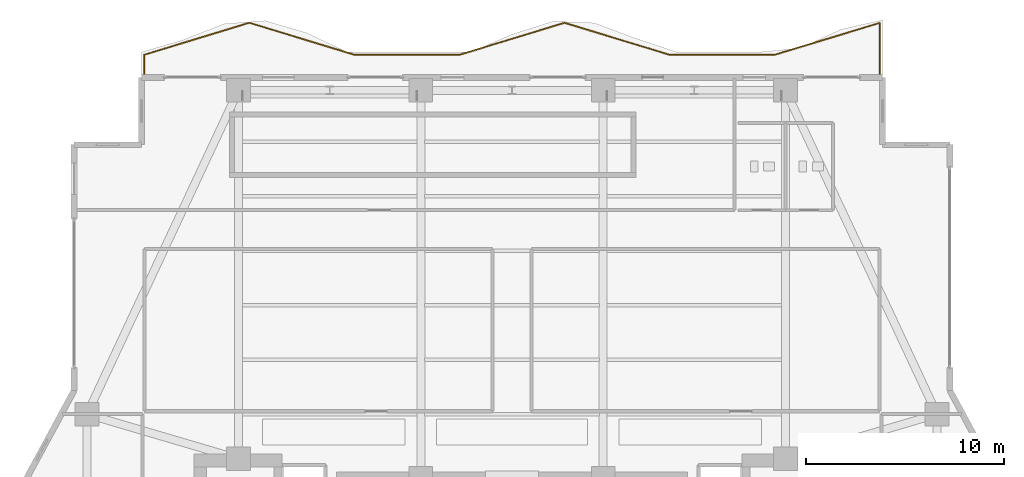
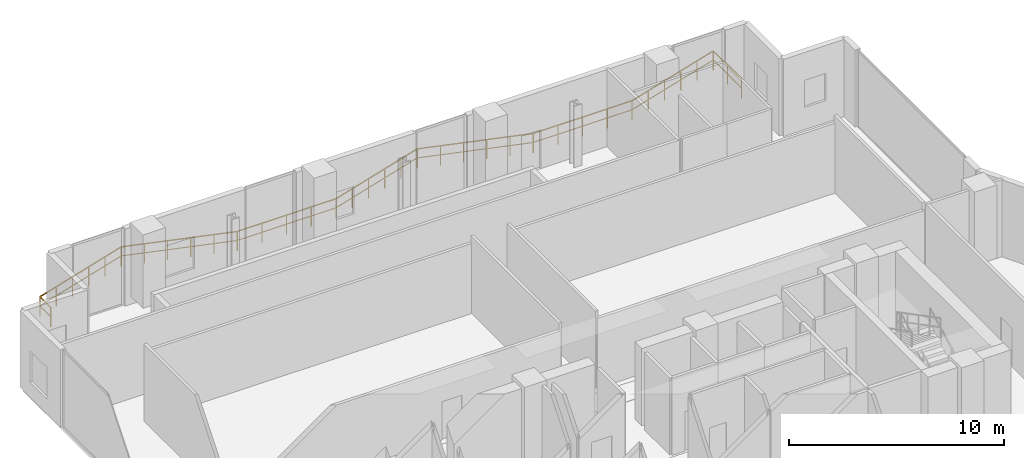
# One storey, part 32 of 33: 1 railing.
"""IFC4 building model written with IfcOpenShell, lengths in metres."""

from ifc_helpers import new_model, si_unit, direction, frame, origin, origin_2d, place, context, subcontext, project, spatial, rectangle, extrude, material, type_object, element, save


model = new_model("IFC4")

# Units and contexts
model_context = context("Model", 3, precision=1e-05, world=origin(), true_north=direction((0.0, 1.0)))
body_context = subcontext(model_context, "Body", "Model", "MODEL_VIEW")
ifc_project = project(units=[si_unit("LENGTHUNIT", "METRE"), si_unit("AREAUNIT", "SQUARE_METRE"), si_unit("VOLUMEUNIT", "CUBIC_METRE"), si_unit("PLANEANGLEUNIT", "RADIAN"), si_unit("MASSUNIT", "GRAM", prefix="KILO")], contexts=[model_context])

# Site, building, storey
site_placement = place(None, origin())
site = spatial("IfcSite", under=ifc_project, at=site_placement, CompositionType="ELEMENT")
building_placement = place(site_placement, origin())
building = spatial("IfcBuilding", under=site, at=building_placement, Name="Zuhayl Quay Hotel", CompositionType="ELEMENT")
storey_placement = place(building_placement, frame((0.0, 0.0, 168.199951171875)))
storey = spatial("IfcBuildingStorey", under=building, at=storey_placement, Name="L42", CompositionType="ELEMENT", Elevation=168.199951171875)

# Railing
ifc_material = material(Name="Anodised Aluminium and Laminated Glass", Category="aluminium")
railing_type = type_object("IfcRailingType", Name="RL_EXT_BAL_1100", PredefinedType="BALUSTRADE", material=ifc_material)
railing_placement = place(storey_placement, frame((-18.56005859375, 33.719970703125, 0.0)))
element("IfcRailing", 1, at=railing_placement, inside=storey, type_object=railing_type, Name="L42 Balcony and Terrace Guard GR_L42_BAL_N", PredefinedType="BALUSTRADE", context=body_context, shape_type="SweptSolid", body=[
    extrude(rectangle(XDim=0.048095703125, YDim=0.048095703125, at=origin_2d()), frame((0.0, 0.0, 1.09619140625), z_axis=(0.0, 1.0, 0.0), x_axis=(-1.0, 0.0, 0.0)), (0.0, 0.0, 1.0), 1.02001953125),
    extrude(rectangle(XDim=0.0361328125, YDim=0.0361328125, at=origin_2d()), frame((0.0, 0.0, 0.58251953125), z_axis=(0.0, 1.0, 0.0), x_axis=(-1.0, 0.0, 0.0)), (0.0, 0.0, 1.0), 1.02001953125),
    extrude(rectangle(XDim=0.048095703125, YDim=0.048095703125, at=origin_2d()), frame((0.0, 1.02001953125, 1.09619140625), z_axis=(0.956486495439, 0.291776599548, 0.0), x_axis=(-0.291776599548, 0.956486495439, 0.0)), (0.0, 0.0, 1.0), 5.544189453125),
    extrude(rectangle(XDim=0.0361328125, YDim=0.0361328125, at=origin_2d()), frame((0.0, 1.02001953125, 0.58251953125), z_axis=(0.956486495439, 0.291776599548, 0.0), x_axis=(-0.291776599548, 0.956486495439, 0.0)), (0.0, 0.0, 1.0), 5.544189453125),
    extrude(rectangle(XDim=0.048095703125, YDim=0.048095703125, at=origin_2d()), frame((5.302978515625, 2.6376953125, 1.09619140625), z_axis=(0.956482746335, -0.291788889375, 0.0), x_axis=(0.291788889375, 0.956482746335, 0.0)), (0.0, 0.0, 1.0), 5.5439453125),
    extrude(rectangle(XDim=0.0361328125, YDim=0.0361328125, at=origin_2d()), frame((5.302978515625, 2.6376953125, 0.58251953125), z_axis=(0.956482746335, -0.291788889375, 0.0), x_axis=(0.291788889375, 0.956482746335, 0.0)), (0.0, 0.0, 1.0), 5.5439453125),
    extrude(rectangle(XDim=0.048095703125, YDim=0.048095703125, at=origin_2d()), frame((10.605712890625, 1.02001953125, 1.09619140625), z_axis=(1.0, 0.0, 0.0), x_axis=(0.0, 1.0, 0.0)), (0.0, 0.0, 1.0), 5.302978515625),
    extrude(rectangle(XDim=0.0361328125, YDim=0.0361328125, at=origin_2d()), frame((10.605712890625, 1.02001953125, 0.58251953125), z_axis=(1.0, 0.0, 0.0), x_axis=(0.0, 1.0, 0.0)), (0.0, 0.0, 1.0), 5.302978515625),
    extrude(rectangle(XDim=0.048095703125, YDim=0.048095703125, at=origin_2d()), frame((15.90869140625, 1.02001953125, 1.09619140625), z_axis=(0.956666945668, 0.291184400452, 0.0), x_axis=(-0.291184400452, 0.956666945668, 0.0)), (0.0, 0.0, 1.0), 5.54296875),
    extrude(rectangle(XDim=0.0361328125, YDim=0.0361328125, at=origin_2d()), frame((15.90869140625, 1.02001953125, 0.58251953125), z_axis=(0.956666945668, 0.291184400452, 0.0), x_axis=(-0.291184400452, 0.956666945668, 0.0)), (0.0, 0.0, 1.0), 5.54296875),
    extrude(rectangle(XDim=0.048095703125, YDim=0.048095703125, at=origin_2d()), frame((21.21142578125, 2.634033203125, 1.09619140625), z_axis=(0.956670679972, -0.291172131361, 0.0), x_axis=(0.291172131361, 0.956670679972, 0.0)), (0.0, 0.0, 1.0), 5.543212890625),
    extrude(rectangle(XDim=0.0361328125, YDim=0.0361328125, at=origin_2d()), frame((21.21142578125, 2.634033203125, 0.58251953125), z_axis=(0.956670679972, -0.291172131361, 0.0), x_axis=(0.291172131361, 0.956670679972, 0.0)), (0.0, 0.0, 1.0), 5.543212890625),
    extrude(rectangle(XDim=0.048095703125, YDim=0.048095703125, at=origin_2d()), frame((26.514404296875, 1.02001953125, 1.09619140625), z_axis=(1.0, 0.0, 0.0), x_axis=(0.0, 1.0, 0.0)), (0.0, 0.0, 1.0), 5.302734375),
    extrude(rectangle(XDim=0.0361328125, YDim=0.0361328125, at=origin_2d()), frame((26.514404296875, 1.02001953125, 0.58251953125), z_axis=(1.0, 0.0, 0.0), x_axis=(0.0, 1.0, 0.0)), (0.0, 0.0, 1.0), 5.302734375),
    extrude(rectangle(XDim=0.048095703125, YDim=0.048095703125, at=origin_2d()), frame((31.817138671875, 1.02001953125, 1.09619140625), z_axis=(0.956928015112, 0.290325289793, 0.0), x_axis=(-0.290325289793, 0.956928015112, 0.0)), (0.0, 0.0, 1.0), 5.541748046875),
    extrude(rectangle(XDim=0.0361328125, YDim=0.0361328125, at=origin_2d()), frame((31.817138671875, 1.02001953125, 0.58251953125), z_axis=(0.956928015112, 0.290325289793, 0.0), x_axis=(-0.290325289793, 0.956928015112, 0.0)), (0.0, 0.0, 1.0), 5.541748046875),
    extrude(rectangle(XDim=0.048095703125, YDim=0.048095703125, at=origin_2d()), frame((37.1201171875, 2.62890625, 1.09619140625), z_axis=(0.0, -1.0, 0.0), x_axis=(1.0, 0.0, 0.0)), (0.0, 0.0, 1.0), 2.62890625),
    extrude(rectangle(XDim=0.0361328125, YDim=0.0361328125, at=origin_2d()), frame((37.1201171875, 2.62890625, 0.58251953125), z_axis=(0.0, -1.0, 0.0), x_axis=(1.0, 0.0, 0.0)), (0.0, 0.0, 1.0), 2.62890625),
    extrude(rectangle(XDim=0.0419921875, YDim=0.0419921875, at=origin_2d()), origin(), (0.0, 0.0, 1.0), 1.072021484375),
    extrude(rectangle(XDim=0.0419921875, YDim=0.0419921875, at=origin_2d()), frame((0.0, 1.02001953125, 0.0)), (0.0, 0.0, 1.0), 1.072021484375),
    extrude(rectangle(XDim=0.0419921875, YDim=0.0419921875, at=origin_2d()), frame((1.060546875, 1.343505859375, 0.0)), (0.0, 0.0, 1.0), 1.072021484375),
    extrude(rectangle(XDim=0.0419921875, YDim=0.0419921875, at=origin_2d()), frame((2.12109375, 1.6669921875, 0.0)), (0.0, 0.0, 1.0), 1.072021484375),
    extrude(rectangle(XDim=0.0419921875, YDim=0.0419921875, at=origin_2d()), frame((3.181884765625, 1.99072265625, 0.0)), (0.0, 0.0, 1.0), 1.072021484375),
    extrude(rectangle(XDim=0.0419921875, YDim=0.0419921875, at=origin_2d()), frame((4.242431640625, 2.314208984375, 0.0)), (0.0, 0.0, 1.0), 1.072021484375),
    extrude(rectangle(XDim=0.0419921875, YDim=0.0419921875, at=origin_2d()), frame((5.302978515625, 2.6376953125, 0.0)), (0.0, 0.0, 1.0), 1.072021484375),
    extrude(rectangle(XDim=0.0419921875, YDim=0.0419921875, at=origin_2d()), frame((6.363525390625, 2.314208984375, 0.0)), (0.0, 0.0, 1.0), 1.072021484375),
    extrude(rectangle(XDim=0.0419921875, YDim=0.0419921875, at=origin_2d()), frame((7.424072265625, 1.99072265625, 0.0)), (0.0, 0.0, 1.0), 1.072021484375),
    extrude(rectangle(XDim=0.0419921875, YDim=0.0419921875, at=origin_2d()), frame((8.484619140625, 1.6669921875, 0.0)), (0.0, 0.0, 1.0), 1.072021484375),
    extrude(rectangle(XDim=0.0419921875, YDim=0.0419921875, at=origin_2d()), frame((9.545166015625, 1.343505859375, 0.0)), (0.0, 0.0, 1.0), 1.072021484375),
    extrude(rectangle(XDim=0.0419921875, YDim=0.0419921875, at=origin_2d()), frame((10.605712890625, 1.02001953125, 0.0)), (0.0, 0.0, 1.0), 1.072021484375),
    extrude(rectangle(XDim=0.0419921875, YDim=0.0419921875, at=origin_2d()), frame((11.931396484375, 1.02001953125, 0.0)), (0.0, 0.0, 1.0), 1.072021484375),
    extrude(rectangle(XDim=0.0419921875, YDim=0.0419921875, at=origin_2d()), frame((13.25732421875, 1.02001953125, 0.0)), (0.0, 0.0, 1.0), 1.072021484375),
    extrude(rectangle(XDim=0.0419921875, YDim=0.0419921875, at=origin_2d()), frame((14.5830078125, 1.02001953125, 0.0)), (0.0, 0.0, 1.0), 1.072021484375),
    extrude(rectangle(XDim=0.0419921875, YDim=0.0419921875, at=origin_2d()), frame((15.90869140625, 1.02001953125, 0.0)), (0.0, 0.0, 1.0), 1.072021484375),
    extrude(rectangle(XDim=0.0419921875, YDim=0.0419921875, at=origin_2d()), frame((16.96923828125, 1.3427734375, 0.0)), (0.0, 0.0, 1.0), 1.072021484375),
    extrude(rectangle(XDim=0.0419921875, YDim=0.0419921875, at=origin_2d()), frame((18.02978515625, 1.66552734375, 0.0)), (0.0, 0.0, 1.0), 1.072021484375),
    extrude(rectangle(XDim=0.0419921875, YDim=0.0419921875, at=origin_2d()), frame((19.09033203125, 1.988525390625, 0.0)), (0.0, 0.0, 1.0), 1.072021484375),
    extrude(rectangle(XDim=0.0419921875, YDim=0.0419921875, at=origin_2d()), frame((20.15087890625, 2.311279296875, 0.0)), (0.0, 0.0, 1.0), 1.072021484375),
    extrude(rectangle(XDim=0.0419921875, YDim=0.0419921875, at=origin_2d()), frame((21.21142578125, 2.634033203125, 0.0)), (0.0, 0.0, 1.0), 1.072021484375),
    extrude(rectangle(XDim=0.0419921875, YDim=0.0419921875, at=origin_2d()), frame((22.27197265625, 2.311279296875, 0.0)), (0.0, 0.0, 1.0), 1.072021484375),
    extrude(rectangle(XDim=0.0419921875, YDim=0.0419921875, at=origin_2d()), frame((23.33251953125, 1.988525390625, 0.0)), (0.0, 0.0, 1.0), 1.072021484375),
    extrude(rectangle(XDim=0.0419921875, YDim=0.0419921875, at=origin_2d()), frame((24.393310546875, 1.66552734375, 0.0)), (0.0, 0.0, 1.0), 1.072021484375),
    extrude(rectangle(XDim=0.0419921875, YDim=0.0419921875, at=origin_2d()), frame((25.453857421875, 1.3427734375, 0.0)), (0.0, 0.0, 1.0), 1.072021484375),
    extrude(rectangle(XDim=0.0419921875, YDim=0.0419921875, at=origin_2d()), frame((26.514404296875, 1.02001953125, 0.0)), (0.0, 0.0, 1.0), 1.072021484375),
    extrude(rectangle(XDim=0.0419921875, YDim=0.0419921875, at=origin_2d()), frame((27.840087890625, 1.02001953125, 0.0)), (0.0, 0.0, 1.0), 1.072021484375),
    extrude(rectangle(XDim=0.0419921875, YDim=0.0419921875, at=origin_2d()), frame((29.165771484375, 1.02001953125, 0.0)), (0.0, 0.0, 1.0), 1.072021484375),
    extrude(rectangle(XDim=0.0419921875, YDim=0.0419921875, at=origin_2d()), frame((30.491455078125, 1.02001953125, 0.0)), (0.0, 0.0, 1.0), 1.072021484375),
    extrude(rectangle(XDim=0.0419921875, YDim=0.0419921875, at=origin_2d()), frame((31.817138671875, 1.02001953125, 0.0)), (0.0, 0.0, 1.0), 1.072021484375),
    extrude(rectangle(XDim=0.0419921875, YDim=0.0419921875, at=origin_2d()), frame((32.877685546875, 1.341796875, 0.0)), (0.0, 0.0, 1.0), 1.072021484375),
    extrude(rectangle(XDim=0.0419921875, YDim=0.0419921875, at=origin_2d()), frame((33.938232421875, 1.66357421875, 0.0)), (0.0, 0.0, 1.0), 1.072021484375),
    extrude(rectangle(XDim=0.0419921875, YDim=0.0419921875, at=origin_2d()), frame((34.9990234375, 1.9853515625, 0.0)), (0.0, 0.0, 1.0), 1.072021484375),
    extrude(rectangle(XDim=0.0419921875, YDim=0.0419921875, at=origin_2d()), frame((36.0595703125, 2.30712890625, 0.0)), (0.0, 0.0, 1.0), 1.072021484375),
    extrude(rectangle(XDim=0.0419921875, YDim=0.0419921875, at=origin_2d()), frame((37.1201171875, 2.62890625, 0.0)), (0.0, 0.0, 1.0), 1.072021484375),
    extrude(rectangle(XDim=0.0419921875, YDim=0.0419921875, at=origin_2d()), frame((37.1201171875, 1.314453125, 0.0)), (0.0, 0.0, 1.0), 1.072021484375),
    extrude(rectangle(XDim=0.0419921875, YDim=0.0419921875, at=origin_2d()), frame((37.1201171875, 0.0, 0.0)), (0.0, 0.0, 1.0), 1.072021484375),
])

save(model, "model.ifc")
